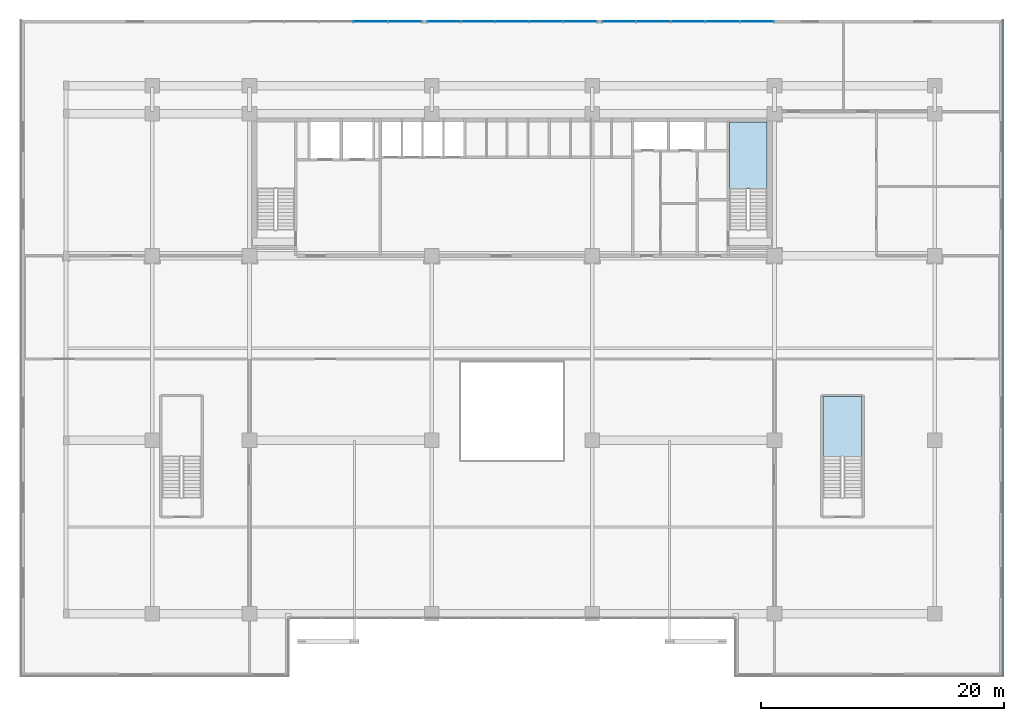
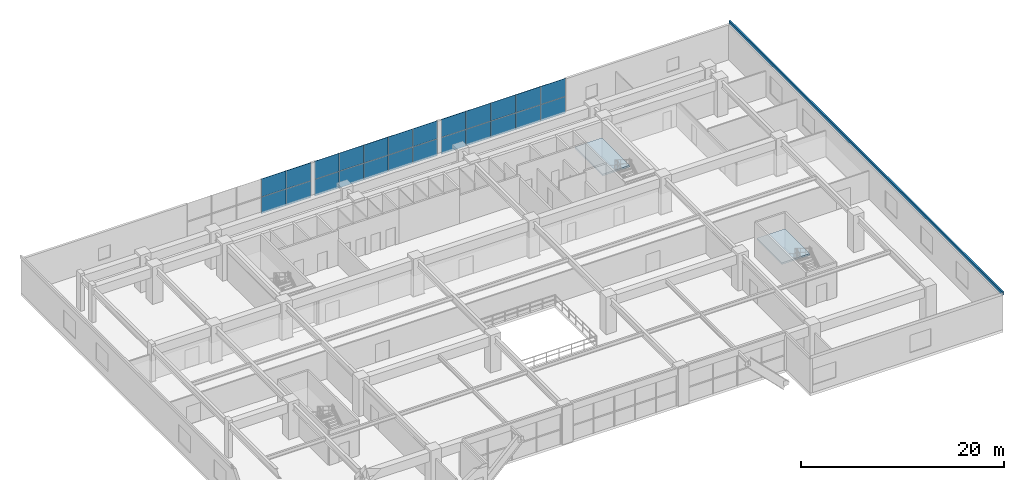
# One storey, part 13 of 24: 25 plates, 2 slabs, 5 elements without a shape of their own.
"""IFC4 building model written with IfcOpenShell, lengths in metres."""

from ifc_helpers import new_model, si_unit, direction, frame, origin, origin_2d, place, context, subcontext, project, spatial, polyline, rectangle, outline, extrude, source, transform, mapped, material, layer, layer_set, type_object, element, aggregate, save


model = new_model("IFC4")

# Units and contexts
model_context = context("Model", 3, precision=1e-05, world=origin(), true_north=direction((0.0, 1.0)))
body_context = subcontext(model_context, "Body", "Model", "MODEL_VIEW")
ifc_project = project(units=[si_unit("LENGTHUNIT", "METRE"), si_unit("AREAUNIT", "SQUARE_METRE"), si_unit("VOLUMEUNIT", "CUBIC_METRE"), si_unit("PLANEANGLEUNIT", "RADIAN"), si_unit("MASSUNIT", "GRAM", prefix="KILO")], contexts=[model_context])

# Site, building, storey
site_placement = place(None, origin())
site = spatial("IfcSite", under=ifc_project, at=site_placement, CompositionType="ELEMENT")
building_placement = place(site_placement, origin())
building = spatial("IfcBuilding", under=site, at=building_placement, Name="Trelvane Seafront Commons", CompositionType="ELEMENT")
storey_placement = place(building_placement, frame((0.0, 0.0, 5.199951171875)))
storey = spatial("IfcBuildingStorey", under=building, at=storey_placement, Name="L01", CompositionType="ELEMENT", Elevation=5.199951171875)

# Stair, slab
ifc_material_1 = material(Name="Concrete C40/50", Category="concrete")
stair_type_1 = type_object("IfcStairType", Name="ARCH-STR-ST-2-R26-173", PredefinedType="HALF_TURN_STAIR", material=ifc_material_1)
stair_1_placement = place(storey_placement, origin())
stair_1 = element("IfcStair", 1, at=stair_1_placement, inside=storey, type_object=stair_type_1, Name="L01 East Protected Firefighting Exit Stair ST-2", PredefinedType="HALF_TURN_STAIR")
ifc_layer_1 = layer(ifc_material_1, 0.199951171875, Name="ARCH-LND-200")
ifc_layer_set_1 = layer_set([ifc_layer_1], Name="Concrete C40/50")
slab_type = type_object("IfcSlabType", Name="ARCH-LND-200", PredefinedType="LANDING", material=ifc_layer_set_1)
slab_1_placement = place(storey_placement, frame((0.0, 0.0, 2.050048828125)))
slab_1 = element("IfcSlab", 2, at=slab_1_placement, type_object=slab_type, Name="ST-2 landing 1", PredefinedType="LANDING", context=body_context, shape_type="SweptSolid", body=[
    extrude(outline(polyline([(58.199951171875, 38.909912109375), (58.199951171875, 44.39990234375), (55.10009765625, 44.39990234375), (55.10009765625, 38.909912109375), (58.199951171875, 38.909912109375)])), origin(), (0.0, 0.0, 1.0), 0.199951171875),
])
aggregate(stair_1, [slab_1])

stair_type_2 = type_object("IfcStairType", Name="ARCH-STR-ST-4-R26-173", PredefinedType="HALF_TURN_STAIR", material=ifc_material_1)
stair_2_placement = place(storey_placement, origin())
stair_2 = element("IfcStair", 3, at=stair_2_placement, inside=storey, type_object=stair_type_2, Name="L01 Podium Commons East Promenade Stair ST-4", PredefinedType="HALF_TURN_STAIR")
slab_2_placement = place(storey_placement, frame((0.0, 0.0, 2.050048828125)))
slab_2 = element("IfcSlab", 4, at=slab_2_placement, type_object=slab_type, Name="ST-4 landing 1", PredefinedType="LANDING", context=body_context, shape_type="SweptSolid", body=[
    extrude(outline(polyline([(66.0, 16.860107421875), (66.0, 21.800048828125), (62.800048828125, 21.800048828125), (62.800048828125, 16.860107421875), (66.0, 16.860107421875)])), origin(), (0.0, 0.0, 1.0), 0.199951171875),
])
aggregate(stair_2, [slab_2])

# Curtain wall, plates
ifc_material_2 = material(Name="Anodised pale-silver aluminium", Category="aluminium")
curtain_wall_type = type_object("IfcCurtainWallType", Name="ARCH-CW1-PODIUM", PredefinedType="NOTDEFINED", material=ifc_material_2)
curtain_wall_1_placement = place(storey_placement, origin())
curtain_wall_1 = element("IfcCurtainWall", 5, at=curtain_wall_1_placement, inside=storey, type_object=curtain_wall_type, Name="CW-L01-0007", PredefinedType="NOTDEFINED")
ifc_material_3 = material(Name="Low-E coastal double glazing", Category="glass")
ifc_layer_2 = layer(ifc_material_3, 0.033935546875, Name="ARCH-CW-GLAZ-34")
ifc_layer_set_2 = layer_set([ifc_layer_2], Name="Low-E coastal double glazing")
plate_type_1 = type_object("IfcPlateType", Name="ARCH-CW-GLAZ-34", PredefinedType="CURTAIN_PANEL", material=ifc_layer_set_2)
shared_shape_1 = source(origin(), body_context, "Body", "SweptSolid", [
    extrude(rectangle(XDim=2.81591796875, YDim=0.035888671875, at=origin_2d()), origin(), (0.0, 0.0, 1.0), 1.998046875),
])
plate_1_placement = place(storey_placement, frame((25.5400390625, 52.669921875, 0.0), z_axis=(0.0, 0.0, 1.0), x_axis=(1.0, 0.0, 0.0)))
plate_1 = element("IfcPlate", 6, at=plate_1_placement, type_object=plate_type_1, Name="CW-L01-0007-P03-1", PredefinedType="CURTAIN_PANEL", context=body_context, shape_type="MappedRepresentation", body=[
    mapped(shared_shape_1, transform((0.0, 0.0, 0.0), x_axis=(1.0, 0.0, 0.0), y_axis=(0.0, 1.0, 0.0), z_axis=(0.0, 0.0, 1.0), scale=1.0)),
])
plate_2_placement = place(storey_placement, frame((28.3798828125, 52.669921875, 0.0), z_axis=(0.0, 0.0, 1.0), x_axis=(1.0, 0.0, 0.0)))
plate_2 = element("IfcPlate", 7, at=plate_2_placement, type_object=plate_type_1, Name="CW-L01-0007-P04-1", PredefinedType="CURTAIN_PANEL", context=body_context, shape_type="MappedRepresentation", body=[
    mapped(shared_shape_1, transform((0.0, 0.0, 0.0), x_axis=(1.0, 0.0, 0.0), y_axis=(0.0, 1.0, 0.0), z_axis=(0.0, 0.0, 1.0), scale=1.0)),
])

curtain_wall_2_placement = place(storey_placement, origin())
curtain_wall_2 = element("IfcCurtainWall", 8, at=curtain_wall_2_placement, inside=storey, type_object=curtain_wall_type, Name="CW-L01-0009", PredefinedType="NOTDEFINED")
plate_3_placement = place(storey_placement, frame((46.02001953125, 52.669921875, 0.0), z_axis=(0.0, 0.0, 1.0), x_axis=(1.0, 0.0, 0.0)))
plate_3 = element("IfcPlate", 9, at=plate_3_placement, type_object=plate_type_1, Name="CW-L01-0009-P00-1", PredefinedType="CURTAIN_PANEL", context=body_context, shape_type="MappedRepresentation", body=[
    mapped(shared_shape_1, transform((0.0, 0.0, 0.0), x_axis=(1.0, 0.0, 0.0), y_axis=(0.0, 1.0, 0.0), z_axis=(0.0, 0.0, 1.0), scale=1.0)),
])
plate_4_placement = place(storey_placement, frame((48.860107421875, 52.669921875, 0.0), z_axis=(0.0, 0.0, 1.0), x_axis=(1.0, 0.0, 0.0)))
plate_4 = element("IfcPlate", 10, at=plate_4_placement, type_object=plate_type_1, Name="CW-L01-0009-P01-1", PredefinedType="CURTAIN_PANEL", context=body_context, shape_type="MappedRepresentation", body=[
    mapped(shared_shape_1, transform((0.0, 0.0, 0.0), x_axis=(1.0, 0.0, 0.0), y_axis=(0.0, 1.0, 0.0), z_axis=(0.0, 0.0, 1.0), scale=1.0)),
])
plate_5_placement = place(storey_placement, frame((51.699951171875, 52.669921875, 0.0), z_axis=(0.0, 0.0, 1.0), x_axis=(1.0, 0.0, 0.0)))
plate_5 = element("IfcPlate", 11, at=plate_5_placement, type_object=plate_type_1, Name="CW-L01-0009-P02-1", PredefinedType="CURTAIN_PANEL", context=body_context, shape_type="MappedRepresentation", body=[
    mapped(shared_shape_1, transform((0.0, 0.0, 0.0), x_axis=(1.0, 0.0, 0.0), y_axis=(0.0, 1.0, 0.0), z_axis=(0.0, 0.0, 1.0), scale=1.0)),
])
plate_6_placement = place(storey_placement, frame((54.5400390625, 52.669921875, 0.0), z_axis=(0.0, 0.0, 1.0), x_axis=(1.0, 0.0, 0.0)))
plate_6 = element("IfcPlate", 12, at=plate_6_placement, type_object=plate_type_1, Name="CW-L01-0009-P03-1", PredefinedType="CURTAIN_PANEL", context=body_context, shape_type="MappedRepresentation", body=[
    mapped(shared_shape_1, transform((0.0, 0.0, 0.0), x_axis=(1.0, 0.0, 0.0), y_axis=(0.0, 1.0, 0.0), z_axis=(0.0, 0.0, 1.0), scale=1.0)),
])
plate_7_placement = place(storey_placement, frame((57.3798828125, 52.669921875, 0.0), z_axis=(0.0, 0.0, 1.0), x_axis=(1.0, 0.0, 0.0)))
plate_7 = element("IfcPlate", 13, at=plate_7_placement, type_object=plate_type_1, Name="CW-L01-0009-P04-1", PredefinedType="CURTAIN_PANEL", context=body_context, shape_type="MappedRepresentation", body=[
    mapped(shared_shape_1, transform((0.0, 0.0, 0.0), x_axis=(1.0, 0.0, 0.0), y_axis=(0.0, 1.0, 0.0), z_axis=(0.0, 0.0, 1.0), scale=1.0)),
])

# Plate
shared_shape_2 = source(origin(), body_context, "Body", "SweptSolid", [
    extrude(rectangle(XDim=2.81591796875, YDim=0.035888671875, at=origin_2d()), origin(), (0.0, 0.0, 1.0), 2.166015625),
])
plate_8_placement = place(storey_placement, frame((25.5400390625, 52.669921875, 2.033935546875), z_axis=(0.0, 0.0, 1.0), x_axis=(1.0, 0.0, 0.0)))
plate_8 = element("IfcPlate", 14, at=plate_8_placement, type_object=plate_type_1, Name="CW-L01-0007-P03-2", PredefinedType="CURTAIN_PANEL", context=body_context, shape_type="MappedRepresentation", body=[
    mapped(shared_shape_2, transform((0.0, 0.0, 0.0), x_axis=(1.0, 0.0, 0.0), y_axis=(0.0, 1.0, 0.0), z_axis=(0.0, 0.0, 1.0), scale=1.0)),
])

plate_9_placement = place(storey_placement, frame((28.3798828125, 52.669921875, 2.033935546875), z_axis=(0.0, 0.0, 1.0), x_axis=(1.0, 0.0, 0.0)))
plate_9 = element("IfcPlate", 15, at=plate_9_placement, type_object=plate_type_1, Name="CW-L01-0007-P04-2", PredefinedType="CURTAIN_PANEL", context=body_context, shape_type="MappedRepresentation", body=[
    mapped(shared_shape_2, transform((0.0, 0.0, 0.0), x_axis=(1.0, 0.0, 0.0), y_axis=(0.0, 1.0, 0.0), z_axis=(0.0, 0.0, 1.0), scale=1.0)),
])

aggregate(curtain_wall_1, [plate_1, plate_8, plate_2, plate_9])

plate_10_placement = place(storey_placement, frame((46.02001953125, 52.669921875, 2.033935546875), z_axis=(0.0, 0.0, 1.0), x_axis=(1.0, 0.0, 0.0)))
plate_10 = element("IfcPlate", 16, at=plate_10_placement, type_object=plate_type_1, Name="CW-L01-0009-P00-2", PredefinedType="CURTAIN_PANEL", context=body_context, shape_type="MappedRepresentation", body=[
    mapped(shared_shape_2, transform((0.0, 0.0, 0.0), x_axis=(1.0, 0.0, 0.0), y_axis=(0.0, 1.0, 0.0), z_axis=(0.0, 0.0, 1.0), scale=1.0)),
])

plate_11_placement = place(storey_placement, frame((48.860107421875, 52.669921875, 2.033935546875), z_axis=(0.0, 0.0, 1.0), x_axis=(1.0, 0.0, 0.0)))
plate_11 = element("IfcPlate", 17, at=plate_11_placement, type_object=plate_type_1, Name="CW-L01-0009-P01-2", PredefinedType="CURTAIN_PANEL", context=body_context, shape_type="MappedRepresentation", body=[
    mapped(shared_shape_2, transform((0.0, 0.0, 0.0), x_axis=(1.0, 0.0, 0.0), y_axis=(0.0, 1.0, 0.0), z_axis=(0.0, 0.0, 1.0), scale=1.0)),
])

plate_12_placement = place(storey_placement, frame((51.699951171875, 52.669921875, 2.033935546875), z_axis=(0.0, 0.0, 1.0), x_axis=(1.0, 0.0, 0.0)))
plate_12 = element("IfcPlate", 18, at=plate_12_placement, type_object=plate_type_1, Name="CW-L01-0009-P02-2", PredefinedType="CURTAIN_PANEL", context=body_context, shape_type="MappedRepresentation", body=[
    mapped(shared_shape_2, transform((0.0, 0.0, 0.0), x_axis=(1.0, 0.0, 0.0), y_axis=(0.0, 1.0, 0.0), z_axis=(0.0, 0.0, 1.0), scale=1.0)),
])

plate_13_placement = place(storey_placement, frame((54.5400390625, 52.669921875, 2.033935546875), z_axis=(0.0, 0.0, 1.0), x_axis=(1.0, 0.0, 0.0)))
plate_13 = element("IfcPlate", 19, at=plate_13_placement, type_object=plate_type_1, Name="CW-L01-0009-P03-2", PredefinedType="CURTAIN_PANEL", context=body_context, shape_type="MappedRepresentation", body=[
    mapped(shared_shape_2, transform((0.0, 0.0, 0.0), x_axis=(1.0, 0.0, 0.0), y_axis=(0.0, 1.0, 0.0), z_axis=(0.0, 0.0, 1.0), scale=1.0)),
])

plate_14_placement = place(storey_placement, frame((57.3798828125, 52.669921875, 2.033935546875), z_axis=(0.0, 0.0, 1.0), x_axis=(1.0, 0.0, 0.0)))
plate_14 = element("IfcPlate", 20, at=plate_14_placement, type_object=plate_type_1, Name="CW-L01-0009-P04-2", PredefinedType="CURTAIN_PANEL", context=body_context, shape_type="MappedRepresentation", body=[
    mapped(shared_shape_2, transform((0.0, 0.0, 0.0), x_axis=(1.0, 0.0, 0.0), y_axis=(0.0, 1.0, 0.0), z_axis=(0.0, 0.0, 1.0), scale=1.0)),
])

aggregate(curtain_wall_2, [plate_3, plate_10, plate_4, plate_11, plate_5, plate_12, plate_6, plate_13, plate_7, plate_14])

# Curtain wall, plates
curtain_wall_3_placement = place(storey_placement, origin())
curtain_wall_3 = element("IfcCurtainWall", 21, at=curtain_wall_3_placement, inside=storey, type_object=curtain_wall_type, Name="CW-L01-0008", PredefinedType="NOTDEFINED")
shared_shape_3 = source(origin(), body_context, "Body", "SweptSolid", [
    extrude(rectangle(XDim=2.77587890625, YDim=0.035888671875, at=origin_2d()), origin(), (0.0, 0.0, 1.0), 1.998046875),
])
plate_15_placement = place(storey_placement, frame((31.60009765625, 52.669921875, 0.0), z_axis=(0.0, 0.0, 1.0), x_axis=(1.0, 0.0, 0.0)))
plate_15 = element("IfcPlate", 22, at=plate_15_placement, type_object=plate_type_1, Name="CW-L01-0008-P00-1", PredefinedType="CURTAIN_PANEL", context=body_context, shape_type="MappedRepresentation", body=[
    mapped(shared_shape_3, transform((0.0, 0.0, 0.0), x_axis=(1.0, 0.0, 0.0), y_axis=(0.0, 1.0, 0.0), z_axis=(0.0, 0.0, 1.0), scale=1.0)),
])
plate_16_placement = place(storey_placement, frame((34.39990234375, 52.669921875, 0.0), z_axis=(0.0, 0.0, 1.0), x_axis=(1.0, 0.0, 0.0)))
plate_16 = element("IfcPlate", 23, at=plate_16_placement, type_object=plate_type_1, Name="CW-L01-0008-P01-1", PredefinedType="CURTAIN_PANEL", context=body_context, shape_type="MappedRepresentation", body=[
    mapped(shared_shape_3, transform((0.0, 0.0, 0.0), x_axis=(1.0, 0.0, 0.0), y_axis=(0.0, 1.0, 0.0), z_axis=(0.0, 0.0, 1.0), scale=1.0)),
])
plate_17_placement = place(storey_placement, frame((37.199951171875, 52.669921875, 0.0), z_axis=(0.0, 0.0, 1.0), x_axis=(1.0, 0.0, 0.0)))
plate_17 = element("IfcPlate", 24, at=plate_17_placement, type_object=plate_type_1, Name="CW-L01-0008-P02-1", PredefinedType="CURTAIN_PANEL", context=body_context, shape_type="MappedRepresentation", body=[
    mapped(shared_shape_3, transform((0.0, 0.0, 0.0), x_axis=(1.0, 0.0, 0.0), y_axis=(0.0, 1.0, 0.0), z_axis=(0.0, 0.0, 1.0), scale=1.0)),
])
plate_18_placement = place(storey_placement, frame((40.0, 52.669921875, 0.0), z_axis=(0.0, 0.0, 1.0), x_axis=(1.0, 0.0, 0.0)))
plate_18 = element("IfcPlate", 25, at=plate_18_placement, type_object=plate_type_1, Name="CW-L01-0008-P03-1", PredefinedType="CURTAIN_PANEL", context=body_context, shape_type="MappedRepresentation", body=[
    mapped(shared_shape_3, transform((0.0, 0.0, 0.0), x_axis=(1.0, 0.0, 0.0), y_axis=(0.0, 1.0, 0.0), z_axis=(0.0, 0.0, 1.0), scale=1.0)),
])
plate_19_placement = place(storey_placement, frame((42.800048828125, 52.669921875, 0.0), z_axis=(0.0, 0.0, 1.0), x_axis=(1.0, 0.0, 0.0)))
plate_19 = element("IfcPlate", 26, at=plate_19_placement, type_object=plate_type_1, Name="CW-L01-0008-P04-1", PredefinedType="CURTAIN_PANEL", context=body_context, shape_type="MappedRepresentation", body=[
    mapped(shared_shape_3, transform((0.0, 0.0, 0.0), x_axis=(1.0, 0.0, 0.0), y_axis=(0.0, 1.0, 0.0), z_axis=(0.0, 0.0, 1.0), scale=1.0)),
])
shared_shape_4 = source(origin(), body_context, "Body", "SweptSolid", [
    extrude(rectangle(XDim=2.77587890625, YDim=0.035888671875, at=origin_2d()), origin(), (0.0, 0.0, 1.0), 2.166015625),
])
plate_20_placement = place(storey_placement, frame((31.60009765625, 52.669921875, 2.033935546875), z_axis=(0.0, 0.0, 1.0), x_axis=(1.0, 0.0, 0.0)))
plate_20 = element("IfcPlate", 27, at=plate_20_placement, type_object=plate_type_1, Name="CW-L01-0008-P00-2", PredefinedType="CURTAIN_PANEL", context=body_context, shape_type="MappedRepresentation", body=[
    mapped(shared_shape_4, transform((0.0, 0.0, 0.0), x_axis=(1.0, 0.0, 0.0), y_axis=(0.0, 1.0, 0.0), z_axis=(0.0, 0.0, 1.0), scale=1.0)),
])
plate_21_placement = place(storey_placement, frame((34.39990234375, 52.669921875, 2.033935546875), z_axis=(0.0, 0.0, 1.0), x_axis=(1.0, 0.0, 0.0)))
plate_21 = element("IfcPlate", 28, at=plate_21_placement, type_object=plate_type_1, Name="CW-L01-0008-P01-2", PredefinedType="CURTAIN_PANEL", context=body_context, shape_type="MappedRepresentation", body=[
    mapped(shared_shape_4, transform((0.0, 0.0, 0.0), x_axis=(1.0, 0.0, 0.0), y_axis=(0.0, 1.0, 0.0), z_axis=(0.0, 0.0, 1.0), scale=1.0)),
])
plate_22_placement = place(storey_placement, frame((37.199951171875, 52.669921875, 2.033935546875), z_axis=(0.0, 0.0, 1.0), x_axis=(1.0, 0.0, 0.0)))
plate_22 = element("IfcPlate", 29, at=plate_22_placement, type_object=plate_type_1, Name="CW-L01-0008-P02-2", PredefinedType="CURTAIN_PANEL", context=body_context, shape_type="MappedRepresentation", body=[
    mapped(shared_shape_4, transform((0.0, 0.0, 0.0), x_axis=(1.0, 0.0, 0.0), y_axis=(0.0, 1.0, 0.0), z_axis=(0.0, 0.0, 1.0), scale=1.0)),
])
plate_23_placement = place(storey_placement, frame((40.0, 52.669921875, 2.033935546875), z_axis=(0.0, 0.0, 1.0), x_axis=(1.0, 0.0, 0.0)))
plate_23 = element("IfcPlate", 30, at=plate_23_placement, type_object=plate_type_1, Name="CW-L01-0008-P03-2", PredefinedType="CURTAIN_PANEL", context=body_context, shape_type="MappedRepresentation", body=[
    mapped(shared_shape_4, transform((0.0, 0.0, 0.0), x_axis=(1.0, 0.0, 0.0), y_axis=(0.0, 1.0, 0.0), z_axis=(0.0, 0.0, 1.0), scale=1.0)),
])
plate_24_placement = place(storey_placement, frame((42.800048828125, 52.669921875, 2.033935546875), z_axis=(0.0, 0.0, 1.0), x_axis=(1.0, 0.0, 0.0)))
plate_24 = element("IfcPlate", 31, at=plate_24_placement, type_object=plate_type_1, Name="CW-L01-0008-P04-2", PredefinedType="CURTAIN_PANEL", context=body_context, shape_type="MappedRepresentation", body=[
    mapped(shared_shape_4, transform((0.0, 0.0, 0.0), x_axis=(1.0, 0.0, 0.0), y_axis=(0.0, 1.0, 0.0), z_axis=(0.0, 0.0, 1.0), scale=1.0)),
])
aggregate(curtain_wall_3, [plate_15, plate_20, plate_16, plate_21, plate_17, plate_22, plate_18, plate_23, plate_19, plate_24])

# Plate
ifc_layer_3 = layer(ifc_material_2, 0.179931640625, Name="ARCH-PLATE-AERO")
ifc_layer_set_3 = layer_set([ifc_layer_3], Name="Anodised pale-silver aluminium")
plate_type_2 = type_object("IfcPlateType", Name="ARCH-PLATE-AERO", PredefinedType="SHEET", material=ifc_layer_set_3)
shared_shape_5 = source(origin(), body_context, "Body", "SweptSolid", [
    extrude(rectangle(XDim=54.0, YDim=0.179931640625, at=origin_2d()), origin(), (0.0, 0.0, 1.0), 0.3798828125),
])
plate_25_placement = place(storey_placement, frame((77.60009765625, 25.800048828125, 4.14013671875), z_axis=(0.0, 0.0, 1.0), x_axis=(0.0, -1.0, 0.0)))
element("IfcPlate", 32, at=plate_25_placement, inside=storey, type_object=plate_type_2, Name="AER-L01-00002", PredefinedType="SHEET", context=body_context, shape_type="MappedRepresentation", body=[
    mapped(shared_shape_5, transform((0.0, 0.0, 0.0), x_axis=(1.0, 0.0, 0.0), y_axis=(0.0, 1.0, 0.0), z_axis=(0.0, 0.0, 1.0), scale=1.0)),
])

save(model, "model.ifc")
